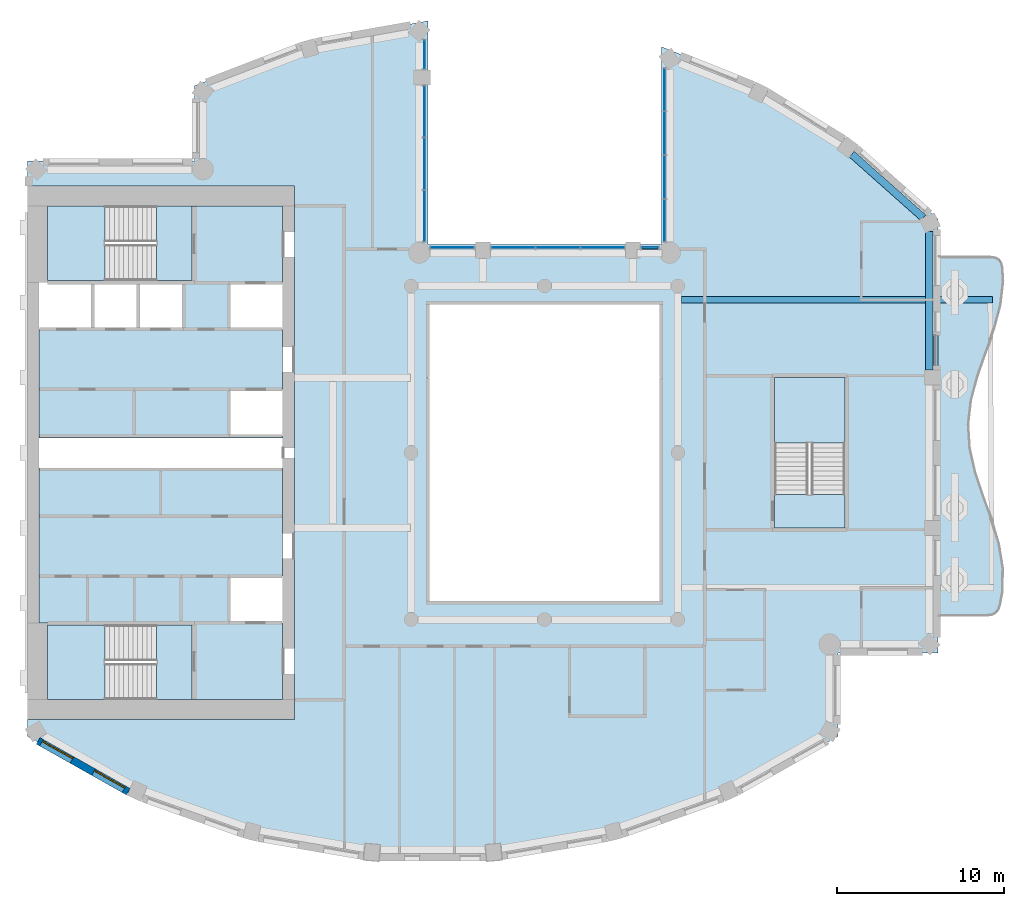
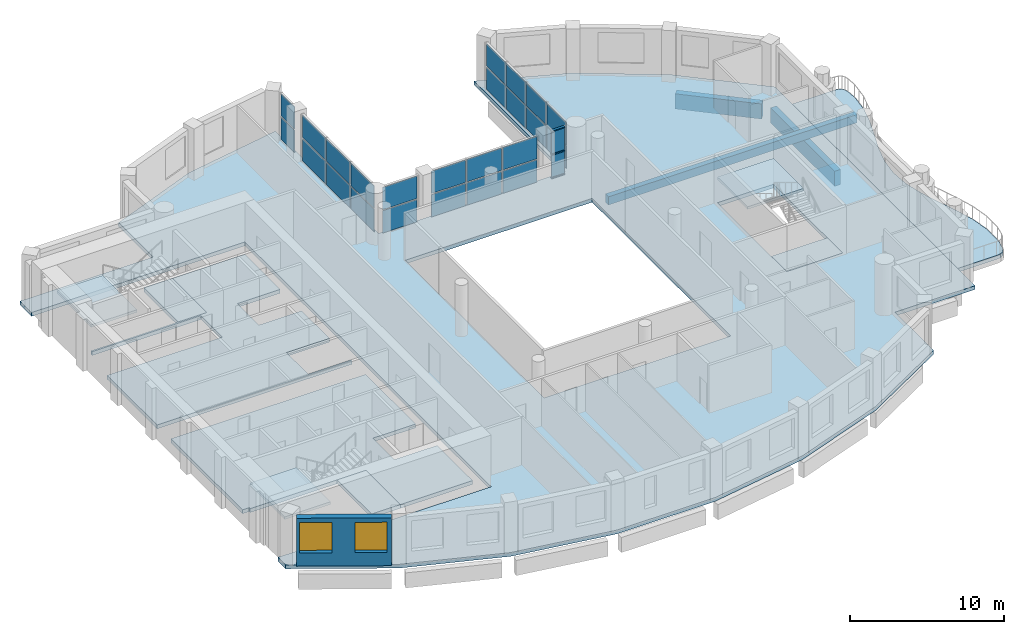
# One storey, part 3 of 15: 26 plates, 10 slabs, 3 beams, 3 members, 2 windows, 1 wall, 2 openings, 9 elements without a shape of their own.
"""IFC4 building model written with IfcOpenShell, lengths in metres."""

from ifc_helpers import new_model, si_unit, direction, frame, frame_2d, origin, origin_2d, place, context, subcontext, project, spatial, polyline, rectangle, outline, extrude, material, layer, layer_set, material_profile, profile_set, type_object, element, fill, aggregate, save


model = new_model("IFC4")

# Units and contexts
model_context = context("Model", 3, precision=1e-05, world=origin(), true_north=direction((0.0, 1.0)))
body_context = subcontext(model_context, "Body", "Model", "MODEL_VIEW")
ifc_project = project(units=[si_unit("LENGTHUNIT", "METRE"), si_unit("AREAUNIT", "SQUARE_METRE"), si_unit("VOLUMEUNIT", "CUBIC_METRE"), si_unit("PLANEANGLEUNIT", "RADIAN"), si_unit("MASSUNIT", "GRAM", prefix="KILO")], contexts=[model_context])

# Site, building, storey
site_placement = place(None, origin())
site = spatial("IfcSite", under=ifc_project, at=site_placement, CompositionType="ELEMENT")
building_placement = place(site_placement, origin())
building = spatial("IfcBuilding", under=site, at=building_placement, Name="Cypress Arch Tower", CompositionType="ELEMENT")
storey_placement = place(building_placement, frame((0.0, 0.0, 292.60009765625)))
storey = spatial("IfcBuildingStorey", under=building, at=storey_placement, Name="L66", CompositionType="ELEMENT", Elevation=292.60009765625)

# Beams
ifc_material_1 = material(Name="Concrete C50/60", Category="concrete")
ifc_material_profile_1 = material_profile(ifc_material_1, rectangle(XDim=0.39990234375, YDim=0.64990234375, at=origin_2d()), Name="RC 400x650")
ifc_profile_set_1 = profile_set([ifc_material_profile_1], Name="Concrete C50/60")
beam_type_1 = type_object("IfcBeamType", Name="Cantilever beam RC 400x650 Concrete C50/60", PredefinedType="BEAM", material=ifc_profile_set_1)
beam_1_placement = place(storey_placement, frame((9.22509765625, 9.1826171875, -0.625), z_axis=(1.0, 0.0, 0.0), x_axis=(0.0, 1.0, 0.0)))
element("IfcBeam", 1, at=beam_1_placement, inside=storey, type_object=beam_type_1, Name="Cantilever beam L66 C17 2", PredefinedType="BEAM", context=body_context, shape_type="SweptSolid", body=[
    extrude(rectangle(XDim=0.39990234375, YDim=0.64990234375, at=origin_2d()), origin(), (0.0, 0.0, 1.0), 18.645751953125),
])
ifc_material_2 = material(Name="Concrete C50/60", Category="concrete")
ifc_material_profile_2 = material_profile(ifc_material_2, rectangle(XDim=0.449951171875, YDim=1.199951171875, at=origin_2d()), Name="RC 450x1200")
ifc_profile_set_2 = profile_set([ifc_material_profile_2], Name="Concrete C50/60")
beam_type_2 = type_object("IfcBeamType", Name="Spandrel beam RC 450x1200 Concrete C50/60", PredefinedType="SPANDREL", material=ifc_profile_set_2)
beam_2_placement = place(storey_placement, frame((24.074951171875, 4.949951171875, -1.550048828125), z_axis=(0.0, 1.0, 0.0), x_axis=(-1.0, 0.0, 0.0)))
element("IfcBeam", 2, at=beam_2_placement, inside=storey, type_object=beam_type_2, Name="Spandrel beam L66 BC17-2", PredefinedType="SPANDREL", context=body_context, shape_type="SweptSolid", body=[
    extrude(rectangle(XDim=0.449951171875, YDim=1.199951171875, at=origin_2d()), origin(), (0.0, 0.0, 1.0), 8.32080078125),
])
beam_3_placement = place(storey_placement, frame((23.706298828125, 14.091796875, -1.550048828125), z_axis=(-0.747555073917, 0.664199827959, 0.0), x_axis=(-0.664199827959, -0.747555073917, 0.0)))
element("IfcBeam", 3, at=beam_3_placement, inside=storey, type_object=beam_type_2, Name="Spandrel beam L66 BC18-0", PredefinedType="SPANDREL", context=body_context, shape_type="SweptSolid", body=[
    extrude(rectangle(XDim=0.449951171875, YDim=1.199951171875, at=origin_2d()), origin(), (0.0, 0.0, 1.0), 5.72900390625),
])

# Curtain wall, members
ifc_material_3 = material(Name="Anodised aluminium, bronze finish, clear laminated double glazing", Category="aluminium")
curtain_wall_type = type_object("IfcCurtainWallType", Name="Curtain wall CW7 slot glazing", PredefinedType="NOTDEFINED", material=ifc_material_3)
curtain_wall_1_placement = place(storey_placement, origin())
curtain_wall_1 = element("IfcCurtainWall", 4, at=curtain_wall_1_placement, inside=storey, type_object=curtain_wall_type, Name="Curtain wall L66 slot C01.0", PredefinedType="NOTDEFINED")
ifc_material_4 = material(Name="Anodised aluminium, bronze finish", Category="aluminium")
ifc_material_profile_3 = material_profile(ifc_material_4, rectangle(XDim=0.179931640625, YDim=0.0849609375, at=origin_2d()), Name="Transom 85x180")
ifc_profile_set_3 = profile_set([ifc_material_profile_3], Name="Anodised aluminium, bronze finish")
member_type = type_object("IfcMemberType", Name="Transom CW7 85x180", PredefinedType="USERDEFINED", material=ifc_profile_set_3)
member_1_placement = place(storey_placement, frame((7.8134765625, 12.300048828125, 0.04248046875), z_axis=(-1.0, 0.0, 0.0), x_axis=(0.0, -1.0, 0.0)))
member_1 = element("IfcMember", 5, at=member_1_placement, type_object=member_type, Name="CW7 transom 1.1", ObjectType="TRANSOM", PredefinedType="USERDEFINED", context=body_context, shape_type="SweptSolid", body=[
    extrude(rectangle(XDim=0.179931640625, YDim=0.0849609375, at=origin_2d()), origin(), (0.0, 0.0, 1.0), 0.978515625),
])
member_2_placement = place(storey_placement, frame((7.8134765625, 12.300048828125, 1.89990234375), z_axis=(-1.0, 0.0, 0.0), x_axis=(0.0, -1.0, 0.0)))
member_2 = element("IfcMember", 6, at=member_2_placement, type_object=member_type, Name="CW7 transom 1.2", ObjectType="TRANSOM", PredefinedType="USERDEFINED", context=body_context, shape_type="SweptSolid", body=[
    extrude(rectangle(XDim=0.179931640625, YDim=0.0849609375, at=origin_2d()), origin(), (0.0, 0.0, 1.0), 0.978515625),
])
member_3_placement = place(storey_placement, frame((7.8134765625, 12.300048828125, 3.75732421875), z_axis=(-1.0, 0.0, 0.0), x_axis=(0.0, -1.0, 0.0)))
member_3 = element("IfcMember", 7, at=member_3_placement, type_object=member_type, Name="CW7 transom 1.3", ObjectType="TRANSOM", PredefinedType="USERDEFINED", context=body_context, shape_type="SweptSolid", body=[
    extrude(rectangle(XDim=0.179931640625, YDim=0.0849609375, at=origin_2d()), origin(), (0.0, 0.0, 1.0), 0.978515625),
])

# Slabs
ifc_material_5 = material(Name="Concrete C40/50", Category="concrete")
ifc_layer_1 = layer(ifc_material_5, 0.300048828125)
ifc_layer_set_1 = layer_set([ifc_layer_1], Name="Balcony slab BS300")
slab_type_1 = type_object("IfcSlabType", Name="Balcony slab BS300", PredefinedType="USERDEFINED", material=ifc_layer_set_1)
slab_1_placement = place(storey_placement, frame((0.0, 0.0, -0.300048828125)))
element("IfcSlab", 8, at=slab_1_placement, inside=storey, type_object=slab_type_1, Name="Balcony slab L66-C17", ObjectType="BALCONY SLAB", PredefinedType="USERDEFINED", context=body_context, shape_type="SweptSolid", body=[
    extrude(outline(polyline([(24.60009765625, -9.75), (27.53662109375, -9.75), (27.8310546875, -9.709716796875), (28.058349609375, -9.5888671875), (28.218505859375, -9.38720703125), (28.311767578125, -9.10498046875), (28.45751953125, -8.316650390625), (28.475830078125, -6.88330078125), (28.242431640625, -5.449951171875), (27.81494140625, -4.0166015625), (27.2978515625, -2.583251953125), (26.818115234375, -1.14990234375), (26.4931640625, 0.283447265625), (26.403076171875, 1.716552734375), (26.5693359375, 3.14990234375), (26.95166015625, 4.583251953125), (27.4560546875, 6.0166015625), (27.958984375, 7.449951171875), (28.337158203125, 8.88330078125), (28.497802734375, 10.316650390625), (28.44482421875, 11.10498046875), (28.385498046875, 11.38720703125), (28.250732421875, 11.5888671875), (28.040771484375, 11.709716796875), (27.755126953125, 11.75), (24.60009765625, 11.75), (24.60009765625, -9.75)])), origin(), (0.0, 0.0, 1.0), 0.300048828125),
])
ifc_material_6 = material(Name="Concrete C40/50", Category="concrete")
ifc_layer_2 = layer(ifc_material_6, 0.300048828125)
ifc_layer_set_2 = layer_set([ifc_layer_2], Name="Core floor CF300")
slab_type_2 = type_object("IfcSlabType", Name="Core floor CF300", PredefinedType="FLOOR", material=ifc_layer_set_2)
slab_2_placement = place(storey_placement, frame((0.0, 0.0, -0.300048828125)))
element("IfcSlab", 9, at=slab_2_placement, inside=storey, type_object=slab_type_2, Name="Core floor", PredefinedType="FLOOR", context=body_context, shape_type="SweptSolid", body=[
    extrude(outline(polyline([(-28.89990234375, -10.199951171875), (-29.300048828125, -10.199951171875), (-29.300048828125, -0.89990234375), (-28.89990234375, -0.89990234375), (-15.10009765625, -0.89990234375), (-14.699951171875, -0.89990234375), (-14.699951171875, -7.39990234375), (-15.10009765625, -7.39990234375), (-17.919921875, -7.39990234375), (-17.919921875, -10.199951171875), (-15.10009765625, -10.199951171875), (-14.699951171875, -10.199951171875), (-14.699951171875, -14.800048828125), (-15.10009765625, -14.800048828125), (-20.125, -14.800048828125), (-20.125, -10.324951171875), (-22.27490234375, -10.324951171875), (-28.800048828125, -10.324951171875), (-28.800048828125, -10.199951171875), (-28.89990234375, -10.199951171875)])), origin(), (0.0, 0.0, 1.0), 0.300048828125),
])
slab_3_placement = place(storey_placement, frame((0.0, 0.0, -0.300048828125)))
element("IfcSlab", 10, at=slab_3_placement, inside=storey, type_object=slab_type_2, Name="Core floor", PredefinedType="FLOOR", context=body_context, shape_type="SweptSolid", body=[
    extrude(outline(polyline([(-22.27490234375, -10.324951171875), (-22.27490234375, -14.800048828125), (-20.125, -14.800048828125), (-20.125, -10.324951171875), (-22.27490234375, -10.324951171875)])), origin(), (0.0, 0.0, 1.0), 0.300048828125),
])
slab_4_placement = place(storey_placement, frame((0.0, 0.0, -0.300048828125)))
element("IfcSlab", 11, at=slab_4_placement, inside=storey, type_object=slab_type_2, Name="Core floor", PredefinedType="FLOOR", context=body_context, shape_type="SweptSolid", body=[
    extrude(outline(polyline([(-20.125, 14.800048828125), (-22.27490234375, 14.800048828125), (-22.27490234375, 10.324951171875), (-20.125, 10.324951171875), (-20.125, 14.800048828125)])), origin(), (0.0, 0.0, 1.0), 0.300048828125),
])
slab_5_placement = place(storey_placement, frame((0.0, 0.0, -0.300048828125)))
element("IfcSlab", 12, at=slab_5_placement, inside=storey, type_object=slab_type_2, Name="Stair floor landing", PredefinedType="FLOOR", context=body_context, shape_type="SweptSolid", body=[
    extrude(outline(polyline([(19.0, -4.5), (19.0, -2.5), (14.800048828125, -2.5), (14.800048828125, -4.5), (19.0, -4.5)])), origin(), (0.0, 0.0, 1.0), 0.300048828125),
])
slab_6_placement = place(storey_placement, frame((0.0, 0.0, -0.300048828125)))
element("IfcSlab", 13, at=slab_6_placement, inside=storey, type_object=slab_type_2, Name="Core floor", PredefinedType="FLOOR", context=body_context, shape_type="SweptSolid", body=[
    extrude(outline(polyline([(-20.639892578125, 10.199951171875), (-23.360107421875, 10.199951171875), (-26.080078125, 10.199951171875), (-28.800048828125, 10.199951171875), (-28.800048828125, 10.324951171875), (-22.27490234375, 10.324951171875), (-20.125, 10.324951171875), (-20.125, 14.800048828125), (-15.10009765625, 14.800048828125), (-14.699951171875, 14.800048828125), (-14.699951171875, 10.199951171875), (-15.10009765625, 10.199951171875), (-17.919921875, 10.199951171875), (-17.919921875, 7.39990234375), (-15.10009765625, 7.39990234375), (-14.699951171875, 7.39990234375), (-14.699951171875, 3.800048828125), (-15.10009765625, 3.800048828125), (-17.919921875, 3.800048828125), (-17.919921875, 1.5), (-17.919921875, 1.0), (-17.5, 1.0), (-15.10009765625, 1.0), (-14.699951171875, 1.0), (-14.699951171875, 0.89990234375), (-15.10009765625, 0.89990234375), (-17.5, 0.89990234375), (-18.300048828125, 0.89990234375), (-28.89990234375, 0.89990234375), (-29.300048828125, 0.89990234375), (-29.300048828125, 1.5), (-29.300048828125, 7.39990234375), (-28.89990234375, 7.39990234375), (-26.080078125, 7.39990234375), (-23.360107421875, 7.39990234375), (-20.639892578125, 7.39990234375), (-20.639892578125, 10.199951171875)])), origin(), (0.0, 0.0, 1.0), 0.300048828125),
])

# Curtain wall, plates
curtain_wall_2_placement = place(storey_placement, origin())
curtain_wall_2 = element("IfcCurtainWall", 14, at=curtain_wall_2_placement, inside=storey, type_object=curtain_wall_type, Name="Curtain wall L66 slot C00.0", PredefinedType="NOTDEFINED")
ifc_material_7 = material(Name="Clear laminated double glazing", Category="glass")
ifc_layer_3 = layer(ifc_material_7, 0.0439453125)
ifc_layer_set_3 = layer_set([ifc_layer_3], Name="Glass panel CW7 44")
plate_type = type_object("IfcPlateType", Name="Glass panel CW7 44", PredefinedType="CURTAIN_PANEL", material=ifc_layer_set_3)
plate_1_placement = place(storey_placement, frame((8.199951171875, 21.768798828125, 0.0849609375), z_axis=(0.0, 0.0, 1.0), x_axis=(0.0, -1.0, 0.0)))
plate_1 = element("IfcPlate", 15, at=plate_1_placement, type_object=plate_type, Name="CW7 panel 1.1", PredefinedType="CURTAIN_PANEL", context=body_context, shape_type="SweptSolid", body=[
    extrude(rectangle(XDim=2.497802734375, YDim=0.0439453125, at=origin_2d()), origin(), (0.0, 0.0, 1.0), 1.7724609375),
])
plate_2_placement = place(storey_placement, frame((8.199951171875, 21.768798828125, 1.9423828125), z_axis=(0.0, 0.0, 1.0), x_axis=(0.0, -1.0, 0.0)))
plate_2 = element("IfcPlate", 16, at=plate_2_placement, type_object=plate_type, Name="CW7 panel 1.2", PredefinedType="CURTAIN_PANEL", context=body_context, shape_type="SweptSolid", body=[
    extrude(rectangle(XDim=2.497802734375, YDim=0.0439453125, at=origin_2d()), origin(), (0.0, 0.0, 1.0), 1.7724609375),
])
plate_3_placement = place(storey_placement, frame((8.199951171875, 19.164794921875, 0.0849609375), z_axis=(0.0, 0.0, 1.0), x_axis=(0.0, -1.0, 0.0)))
plate_3 = element("IfcPlate", 17, at=plate_3_placement, type_object=plate_type, Name="CW7 panel 2.1", PredefinedType="CURTAIN_PANEL", context=body_context, shape_type="SweptSolid", body=[
    extrude(rectangle(XDim=2.540283203125, YDim=0.0439453125, at=origin_2d()), origin(), (0.0, 0.0, 1.0), 1.7724609375),
])
plate_4_placement = place(storey_placement, frame((8.199951171875, 19.164794921875, 1.9423828125), z_axis=(0.0, 0.0, 1.0), x_axis=(0.0, -1.0, 0.0)))
plate_4 = element("IfcPlate", 18, at=plate_4_placement, type_object=plate_type, Name="CW7 panel 2.2", PredefinedType="CURTAIN_PANEL", context=body_context, shape_type="SweptSolid", body=[
    extrude(rectangle(XDim=2.540283203125, YDim=0.0439453125, at=origin_2d()), origin(), (0.0, 0.0, 1.0), 1.7724609375),
])
plate_5_placement = place(storey_placement, frame((8.199951171875, 16.53955078125, 0.0849609375), z_axis=(0.0, 0.0, 1.0), x_axis=(0.0, -1.0, 0.0)))
plate_5 = element("IfcPlate", 19, at=plate_5_placement, type_object=plate_type, Name="CW7 panel 3.1", PredefinedType="CURTAIN_PANEL", context=body_context, shape_type="SweptSolid", body=[
    extrude(rectangle(XDim=2.540283203125, YDim=0.0439453125, at=origin_2d()), origin(), (0.0, 0.0, 1.0), 1.7724609375),
])
plate_6_placement = place(storey_placement, frame((8.199951171875, 16.53955078125, 1.9423828125), z_axis=(0.0, 0.0, 1.0), x_axis=(0.0, -1.0, 0.0)))
plate_6 = element("IfcPlate", 20, at=plate_6_placement, type_object=plate_type, Name="CW7 panel 3.2", PredefinedType="CURTAIN_PANEL", context=body_context, shape_type="SweptSolid", body=[
    extrude(rectangle(XDim=2.540283203125, YDim=0.0439453125, at=origin_2d()), origin(), (0.0, 0.0, 1.0), 1.7724609375),
])
plate_7_placement = place(storey_placement, frame((8.199951171875, 13.935302734375, 0.0849609375), z_axis=(0.0, 0.0, 1.0), x_axis=(0.0, -1.0, 0.0)))
plate_7 = element("IfcPlate", 21, at=plate_7_placement, type_object=plate_type, Name="CW7 panel 4.1", PredefinedType="CURTAIN_PANEL", context=body_context, shape_type="SweptSolid", body=[
    extrude(rectangle(XDim=2.497802734375, YDim=0.0439453125, at=origin_2d()), origin(), (0.0, 0.0, 1.0), 1.7724609375),
])
plate_8_placement = place(storey_placement, frame((8.199951171875, 13.935302734375, 1.9423828125), z_axis=(0.0, 0.0, 1.0), x_axis=(0.0, -1.0, 0.0)))
plate_8 = element("IfcPlate", 22, at=plate_8_placement, type_object=plate_type, Name="CW7 panel 4.2", PredefinedType="CURTAIN_PANEL", context=body_context, shape_type="SweptSolid", body=[
    extrude(rectangle(XDim=2.497802734375, YDim=0.0439453125, at=origin_2d()), origin(), (0.0, 0.0, 1.0), 1.7724609375),
])
aggregate(curtain_wall_2, [plate_1, plate_2, plate_3, plate_4, plate_5, plate_6, plate_7, plate_8])

# Plate
plate_9_placement = place(storey_placement, frame((7.32421875, 12.300048828125, 0.0849609375), z_axis=(0.0, 0.0, 1.0), x_axis=(-1.0, 0.0, 0.0)))
plate_9 = element("IfcPlate", 23, at=plate_9_placement, type_object=plate_type, Name="CW7 panel 1.1", PredefinedType="CURTAIN_PANEL", context=body_context, shape_type="SweptSolid", body=[
    extrude(rectangle(XDim=0.978515625, YDim=0.0439453125, at=origin_2d()), origin(), (0.0, 0.0, 1.0), 1.7724609375),
])

plate_10_placement = place(storey_placement, frame((7.32421875, 12.300048828125, 1.9423828125), z_axis=(0.0, 0.0, 1.0), x_axis=(-1.0, 0.0, 0.0)))
plate_10 = element("IfcPlate", 24, at=plate_10_placement, type_object=plate_type, Name="CW7 panel 1.2", PredefinedType="CURTAIN_PANEL", context=body_context, shape_type="SweptSolid", body=[
    extrude(rectangle(XDim=0.978515625, YDim=0.0439453125, at=origin_2d()), origin(), (0.0, 0.0, 1.0), 1.7724609375),
])

aggregate(curtain_wall_1, [member_1, member_2, member_3, plate_9, plate_10])

# Curtain wall, plates
curtain_wall_3_placement = place(storey_placement, origin())
curtain_wall_3 = element("IfcCurtainWall", 25, at=curtain_wall_3_placement, inside=storey, type_object=curtain_wall_type, Name="Curtain wall L66 slot C01.1", PredefinedType="NOTDEFINED")
plate_11_placement = place(storey_placement, frame((4.478759765625, 12.300048828125, 0.0849609375), z_axis=(0.0, 0.0, 1.0), x_axis=(-1.0, 0.0, 0.0)))
plate_11 = element("IfcPlate", 26, at=plate_11_placement, type_object=plate_type, Name="CW7 panel 1.1", PredefinedType="CURTAIN_PANEL", context=body_context, shape_type="SweptSolid", body=[
    extrude(rectangle(XDim=2.572509765625, YDim=0.0439453125, at=origin_2d()), origin(), (0.0, 0.0, 1.0), 1.7724609375),
])
plate_12_placement = place(storey_placement, frame((4.478759765625, 12.300048828125, 1.9423828125), z_axis=(0.0, 0.0, 1.0), x_axis=(-1.0, 0.0, 0.0)))
plate_12 = element("IfcPlate", 27, at=plate_12_placement, type_object=plate_type, Name="CW7 panel 1.2", PredefinedType="CURTAIN_PANEL", context=body_context, shape_type="SweptSolid", body=[
    extrude(rectangle(XDim=2.572509765625, YDim=0.0439453125, at=origin_2d()), origin(), (0.0, 0.0, 1.0), 1.7724609375),
])
plate_13_placement = place(storey_placement, frame((1.800048828125, 12.300048828125, 0.0849609375), z_axis=(0.0, 0.0, 1.0), x_axis=(-1.0, 0.0, 0.0)))
plate_13 = element("IfcPlate", 28, at=plate_13_placement, type_object=plate_type, Name="CW7 panel 2.1", PredefinedType="CURTAIN_PANEL", context=body_context, shape_type="SweptSolid", body=[
    extrude(rectangle(XDim=2.614990234375, YDim=0.0439453125, at=origin_2d()), origin(), (0.0, 0.0, 1.0), 1.7724609375),
])
plate_14_placement = place(storey_placement, frame((1.800048828125, 12.300048828125, 1.9423828125), z_axis=(0.0, 0.0, 1.0), x_axis=(-1.0, 0.0, 0.0)))
plate_14 = element("IfcPlate", 29, at=plate_14_placement, type_object=plate_type, Name="CW7 panel 2.2", PredefinedType="CURTAIN_PANEL", context=body_context, shape_type="SweptSolid", body=[
    extrude(rectangle(XDim=2.614990234375, YDim=0.0439453125, at=origin_2d()), origin(), (0.0, 0.0, 1.0), 1.7724609375),
])
plate_15_placement = place(storey_placement, frame((-0.878662109375, 12.300048828125, 0.0849609375), z_axis=(0.0, 0.0, 1.0), x_axis=(-1.0, 0.0, 0.0)))
plate_15 = element("IfcPlate", 30, at=plate_15_placement, type_object=plate_type, Name="CW7 panel 3.1", PredefinedType="CURTAIN_PANEL", context=body_context, shape_type="SweptSolid", body=[
    extrude(rectangle(XDim=2.572509765625, YDim=0.0439453125, at=origin_2d()), origin(), (0.0, 0.0, 1.0), 1.7724609375),
])
plate_16_placement = place(storey_placement, frame((-0.878662109375, 12.300048828125, 1.9423828125), z_axis=(0.0, 0.0, 1.0), x_axis=(-1.0, 0.0, 0.0)))
plate_16 = element("IfcPlate", 31, at=plate_16_placement, type_object=plate_type, Name="CW7 panel 3.2", PredefinedType="CURTAIN_PANEL", context=body_context, shape_type="SweptSolid", body=[
    extrude(rectangle(XDim=2.572509765625, YDim=0.0439453125, at=origin_2d()), origin(), (0.0, 0.0, 1.0), 1.7724609375),
])
aggregate(curtain_wall_3, [plate_11, plate_12, plate_13, plate_14, plate_15, plate_16])

curtain_wall_4_placement = place(storey_placement, origin())
curtain_wall_4 = element("IfcCurtainWall", 32, at=curtain_wall_4_placement, inside=storey, type_object=curtain_wall_type, Name="Curtain wall L66 slot C01.2", PredefinedType="NOTDEFINED")
plate_17_placement = place(storey_placement, frame((-4.524169921875, 12.300048828125, 0.0849609375), z_axis=(0.0, 0.0, 1.0), x_axis=(-1.0, 0.0, 0.0)))
plate_17 = element("IfcPlate", 33, at=plate_17_placement, type_object=plate_type, Name="CW7 panel 1.1", PredefinedType="CURTAIN_PANEL", context=body_context, shape_type="SweptSolid", body=[
    extrude(rectangle(XDim=2.57861328125, YDim=0.0439453125, at=origin_2d()), origin(), (0.0, 0.0, 1.0), 1.7724609375),
])
plate_18_placement = place(storey_placement, frame((-4.524169921875, 12.300048828125, 1.9423828125), z_axis=(0.0, 0.0, 1.0), x_axis=(-1.0, 0.0, 0.0)))
plate_18 = element("IfcPlate", 34, at=plate_18_placement, type_object=plate_type, Name="CW7 panel 1.2", PredefinedType="CURTAIN_PANEL", context=body_context, shape_type="SweptSolid", body=[
    extrude(rectangle(XDim=2.57861328125, YDim=0.0439453125, at=origin_2d()), origin(), (0.0, 0.0, 1.0), 1.7724609375),
])
aggregate(curtain_wall_4, [plate_17, plate_18])

curtain_wall_5_placement = place(storey_placement, origin())
curtain_wall_5 = element("IfcCurtainWall", 35, at=curtain_wall_5_placement, inside=storey, type_object=curtain_wall_type, Name="Curtain wall L66 slot C02.0", PredefinedType="NOTDEFINED")
plate_19_placement = place(storey_placement, frame((-6.199951171875, 14.197509765625, 0.0849609375), z_axis=(0.0, 0.0, 1.0), x_axis=(0.0, 1.0, 0.0)))
plate_19 = element("IfcPlate", 36, at=plate_19_placement, type_object=plate_type, Name="CW7 panel 1.1", PredefinedType="CURTAIN_PANEL", context=body_context, shape_type="SweptSolid", body=[
    extrude(rectangle(XDim=3.02197265625, YDim=0.0439453125, at=origin_2d()), origin(), (0.0, 0.0, 1.0), 1.7724609375),
])
plate_20_placement = place(storey_placement, frame((-6.199951171875, 14.197509765625, 1.9423828125), z_axis=(0.0, 0.0, 1.0), x_axis=(0.0, 1.0, 0.0)))
plate_20 = element("IfcPlate", 37, at=plate_20_placement, type_object=plate_type, Name="CW7 panel 1.2", PredefinedType="CURTAIN_PANEL", context=body_context, shape_type="SweptSolid", body=[
    extrude(rectangle(XDim=3.02197265625, YDim=0.0439453125, at=origin_2d()), origin(), (0.0, 0.0, 1.0), 1.7724609375),
])
plate_21_placement = place(storey_placement, frame((-6.199951171875, 17.32568359375, 0.0849609375), z_axis=(0.0, 0.0, 1.0), x_axis=(0.0, 1.0, 0.0)))
plate_21 = element("IfcPlate", 38, at=plate_21_placement, type_object=plate_type, Name="CW7 panel 2.1", PredefinedType="CURTAIN_PANEL", context=body_context, shape_type="SweptSolid", body=[
    extrude(rectangle(XDim=3.064453125, YDim=0.0439453125, at=origin_2d()), origin(), (0.0, 0.0, 1.0), 1.7724609375),
])
plate_22_placement = place(storey_placement, frame((-6.199951171875, 17.32568359375, 1.9423828125), z_axis=(0.0, 0.0, 1.0), x_axis=(0.0, 1.0, 0.0)))
plate_22 = element("IfcPlate", 39, at=plate_22_placement, type_object=plate_type, Name="CW7 panel 2.2", PredefinedType="CURTAIN_PANEL", context=body_context, shape_type="SweptSolid", body=[
    extrude(rectangle(XDim=3.064453125, YDim=0.0439453125, at=origin_2d()), origin(), (0.0, 0.0, 1.0), 1.7724609375),
])
plate_23_placement = place(storey_placement, frame((-6.199951171875, 20.4541015625, 0.0849609375), z_axis=(0.0, 0.0, 1.0), x_axis=(0.0, 1.0, 0.0)))
plate_23 = element("IfcPlate", 40, at=plate_23_placement, type_object=plate_type, Name="CW7 panel 3.1", PredefinedType="CURTAIN_PANEL", context=body_context, shape_type="SweptSolid", body=[
    extrude(rectangle(XDim=3.02197265625, YDim=0.0439453125, at=origin_2d()), origin(), (0.0, 0.0, 1.0), 1.7724609375),
])
plate_24_placement = place(storey_placement, frame((-6.199951171875, 20.4541015625, 1.9423828125), z_axis=(0.0, 0.0, 1.0), x_axis=(0.0, 1.0, 0.0)))
plate_24 = element("IfcPlate", 41, at=plate_24_placement, type_object=plate_type, Name="CW7 panel 3.2", PredefinedType="CURTAIN_PANEL", context=body_context, shape_type="SweptSolid", body=[
    extrude(rectangle(XDim=3.02197265625, YDim=0.0439453125, at=origin_2d()), origin(), (0.0, 0.0, 1.0), 1.7724609375),
])
aggregate(curtain_wall_5, [plate_19, plate_20, plate_21, plate_22, plate_23, plate_24])

curtain_wall_6_placement = place(storey_placement, origin())
curtain_wall_6 = element("IfcCurtainWall", 42, at=curtain_wall_6_placement, inside=storey, type_object=curtain_wall_type, Name="Curtain wall L66 slot C02.1", PredefinedType="NOTDEFINED")
plate_25_placement = place(storey_placement, frame((-6.199951171875, 23.89111328125, 0.0849609375), z_axis=(0.0, 0.0, 1.0), x_axis=(0.0, 1.0, 0.0)))
plate_25 = element("IfcPlate", 43, at=plate_25_placement, type_object=plate_type, Name="CW7 panel 1.1", PredefinedType="CURTAIN_PANEL", context=body_context, shape_type="SweptSolid", body=[
    extrude(rectangle(XDim=1.71240234375, YDim=0.0439453125, at=origin_2d()), origin(), (0.0, 0.0, 1.0), 1.7724609375),
])
plate_26_placement = place(storey_placement, frame((-6.199951171875, 23.89111328125, 1.9423828125), z_axis=(0.0, 0.0, 1.0), x_axis=(0.0, 1.0, 0.0)))
plate_26 = element("IfcPlate", 44, at=plate_26_placement, type_object=plate_type, Name="CW7 panel 1.2", PredefinedType="CURTAIN_PANEL", context=body_context, shape_type="SweptSolid", body=[
    extrude(rectangle(XDim=1.71240234375, YDim=0.0439453125, at=origin_2d()), origin(), (0.0, 0.0, 1.0), 1.7724609375),
])
aggregate(curtain_wall_6, [plate_25, plate_26])

# Slab
ifc_material_8 = material(Name="Concrete C40/50", Category="concrete")
ifc_layer_4 = layer(ifc_material_8, 0.300048828125)
ifc_layer_set_4 = layer_set([ifc_layer_4], Name="PT flat slab 300 Concrete C40/50")
slab_type_3 = type_object("IfcSlabType", Name="PT flat slab 300 Concrete C40/50", PredefinedType="FLOOR", material=ifc_layer_set_4)
slab_7_placement = place(storey_placement, frame((0.0, 0.0, -0.300048828125)))
element("IfcSlab", 45, at=slab_7_placement, inside=storey, type_object=slab_type_3, Name="Floor slab L66", PredefinedType="FLOOR", context=body_context, shape_type="SweptSolid", body=[
    extrude(outline(polyline([(-30.0, 17.5), (-20.0, 17.5), (-20.0, 22.0), (-13.199951171875, 24.6201171875), (-6.0, 25.889892578125), (-6.0, 12.5), (8.0, 12.5), (8.0, 24.35009765625), (14.0, 21.93994140625), (19.39990234375, 18.6201171875), (24.60009765625, 14.0), (24.60009765625, -12.0), (18.60009765625, -12.0), (18.60009765625, -17.0), (12.179931640625, -20.6201171875), (5.239990234375, -23.090087890625), (-2.02001953125, -24.340087890625), (-9.3798828125, -24.340087890625), (-16.639892578125, -23.090087890625), (-23.580078125, -20.6201171875), (-30.0, -17.0), (-30.0, -16.0), (-14.0, -16.0), (-14.0, 16.0), (-30.0, 16.0), (-30.0, 17.5)]), holes=[polyline([(-6.0, -9.0), (8.0, -9.0), (8.0, 9.0), (-6.0, 9.0), (-6.0, -9.0)]), polyline([(14.800048828125, -4.5), (19.0, -4.5), (19.0, 4.5), (14.800048828125, 4.5), (14.800048828125, -4.5)])]), origin(), (0.0, 0.0, 1.0), 0.300048828125),
])

# Stair, slab
ifc_material_9 = material(Name="Concrete C40/50", Category="concrete")
stair_type_1 = type_object("IfcStairType", Name="Exit stair ES1708-215", PredefinedType="HALF_TURN_STAIR", material=ifc_material_9)
stair_1_placement = place(storey_placement, origin())
stair_1 = element("IfcStair", 46, at=stair_1_placement, inside=storey, type_object=stair_type_1, Name="L66 Exit stair A", PredefinedType="HALF_TURN_STAIR")
ifc_material_10 = material(Name="Concrete C40/50", Category="concrete")
ifc_layer_5 = layer(ifc_material_10, 0.199951171875)
ifc_layer_set_5 = layer_set([ifc_layer_5], Name="Stair landing SL200")
slab_type_4 = type_object("IfcSlabType", Name="Stair landing SL200", PredefinedType="LANDING", material=ifc_layer_set_5)
slab_8_placement = place(storey_placement, frame((0.0, 0.0, 1.849853515625)))
slab_8 = element("IfcSlab", 47, at=slab_8_placement, type_object=slab_type_4, Name="A landing 1", PredefinedType="LANDING", context=body_context, shape_type="SweptSolid", body=[
    extrude(outline(polyline([(-25.35498046875, -10.324951171875), (-28.800048828125, -10.324951171875), (-28.800048828125, -14.800048828125), (-25.35498046875, -14.800048828125), (-25.35498046875, -10.324951171875)])), origin(), (0.0, 0.0, 1.0), 0.199951171875),
])
aggregate(stair_1, [slab_8])

stair_2_placement = place(storey_placement, origin())
stair_2 = element("IfcStair", 48, at=stair_2_placement, inside=storey, type_object=stair_type_1, Name="L66 Exit stair B", PredefinedType="HALF_TURN_STAIR")
slab_9_placement = place(storey_placement, frame((0.0, 0.0, 1.849853515625)))
slab_9 = element("IfcSlab", 49, at=slab_9_placement, type_object=slab_type_4, Name="B landing 1", PredefinedType="LANDING", context=body_context, shape_type="SweptSolid", body=[
    extrude(outline(polyline([(-25.35498046875, 14.800048828125), (-28.800048828125, 14.800048828125), (-28.800048828125, 10.324951171875), (-25.35498046875, 10.324951171875), (-25.35498046875, 14.800048828125)])), origin(), (0.0, 0.0, 1.0), 0.199951171875),
])
aggregate(stair_2, [slab_9])

ifc_material_11 = material(Name="Concrete C40/50", Category="concrete")
stair_type_2 = type_object("IfcStairType", Name="Exit stair ES1708-200", PredefinedType="HALF_TURN_STAIR", material=ifc_material_11)
stair_3_placement = place(storey_placement, origin())
stair_3 = element("IfcStair", 50, at=stair_3_placement, inside=storey, type_object=stair_type_2, Name="L66 Exit stair C", PredefinedType="HALF_TURN_STAIR")
slab_10_placement = place(storey_placement, frame((0.0, 0.0, 1.849853515625)))
slab_10 = element("IfcSlab", 51, at=slab_10_placement, type_object=slab_type_4, Name="C landing 1", PredefinedType="LANDING", context=body_context, shape_type="SweptSolid", body=[
    extrude(outline(polyline([(19.0, 0.580078125), (19.0, 4.5), (14.800048828125, 4.5), (14.800048828125, 0.580078125), (19.0, 0.580078125)])), origin(), (0.0, 0.0, 1.0), 0.199951171875),
])
aggregate(stair_3, [slab_10])

# Wall, openings, windows
ifc_material_12 = material(Name="Brick (red buff blend)", Category="masonry")
ifc_layer_6 = layer(ifc_material_12, 0.449951171875)
ifc_layer_set_6 = layer_set([ifc_layer_6], Name="Brick pier and spandrel wall BW450")
wall_type = type_object("IfcWallType", Name="Brick pier and spandrel wall BW450", PredefinedType="SOLIDWALL", material=ifc_layer_set_6)
wall_placement = place(storey_placement, frame((-29.3564453125, -17.276611328125, 0.0), z_axis=(0.0, 0.0, 1.0), x_axis=(0.871065783524, -0.491166367714, 0.0)))
wall = element("IfcWall", 52, at=wall_placement, inside=storey, type_object=wall_type, Name="Brick wall L66 C08.0", PredefinedType="SOLIDWALL", context=body_context, shape_type="SweptSolid", body=[
    extrude(rectangle(XDim=6.1962890625, YDim=0.449951171875, at=frame_2d((3.09814453125, 0.0))), origin(), (0.0, 0.0, 1.0), 3.7998046875),
])
opening_1_placement = place(wall_placement, frame((0.22119140625, 0.0, 1.050048828125)))
opening_1 = element("IfcOpeningElement", 53, at=opening_1_placement, cuts=wall, Name="Opening W210O", PredefinedType="OPENING", context=body_context, shape_type="SweptSolid", body=[
    extrude(rectangle(XDim=2.10009765625, YDim=2.39990234375, at=frame_2d((1.050048828125, 1.199951171875))), frame((0.0, 0.23486328125, 0.0), z_axis=(0.0, -1.0, 0.0), x_axis=(1.0, 0.0, 0.0)), (0.0, 0.0, 1.0), 0.469970703125),
])
opening_2_placement = place(wall_placement, frame((3.8056640625, 0.0, 1.050048828125)))
opening_2 = element("IfcOpeningElement", 54, at=opening_2_placement, cuts=wall, Name="Opening W210O", PredefinedType="OPENING", context=body_context, shape_type="SweptSolid", body=[
    extrude(rectangle(XDim=2.10009765625, YDim=2.39990234375, at=frame_2d((1.050048828125, 1.199951171875))), frame((0.0, 0.23486328125, 0.0), z_axis=(0.0, -1.0, 0.0), x_axis=(1.0, 0.0, 0.0)), (0.0, 0.0, 1.0), 0.469970703125),
])
ifc_material_13 = material(Name="Anodised aluminium, bronze finish, clear low-emissivity double glazing", Category="aluminium")
window_type = type_object("IfcWindowType", Name="Window Office 2100x2400", PartitioningType="SINGLE_PANEL", PredefinedType="WINDOW", material=ifc_material_13)
window_1_placement = place(opening_1_placement, origin())
window_1 = element("IfcWindow", 55, at=window_1_placement, inside=storey, type_object=window_type, Name="Window L66 C08.0.1", OverallHeight=2.39990234375, OverallWidth=2.10009765625, PartitioningType="SINGLE_PANEL", PredefinedType="WINDOW", context=body_context, shape_type="SweptSolid", body=[
    extrude(rectangle(XDim=2.10009765625, YDim=2.39990234375, at=frame_2d((1.050048828125, 1.199951171875))), frame((0.0, 0.135009765625, 0.0), z_axis=(0.0, -1.0, 0.0), x_axis=(1.0, 0.0, 0.0)), (0.0, 0.0, 1.0), 0.06005859375),
])
fill(opening_1, window_1)
window_2_placement = place(opening_2_placement, origin())
window_2 = element("IfcWindow", 56, at=window_2_placement, inside=storey, type_object=window_type, Name="Window L66 C08.0.2", OverallHeight=2.39990234375, OverallWidth=2.10009765625, PartitioningType="SINGLE_PANEL", PredefinedType="WINDOW", context=body_context, shape_type="SweptSolid", body=[
    extrude(rectangle(XDim=2.10009765625, YDim=2.39990234375, at=frame_2d((1.050048828125, 1.199951171875))), frame((0.0, 0.135009765625, 0.0), z_axis=(0.0, -1.0, 0.0), x_axis=(1.0, 0.0, 0.0)), (0.0, 0.0, 1.0), 0.06005859375),
])
fill(opening_2, window_2)

save(model, "model.ifc")
